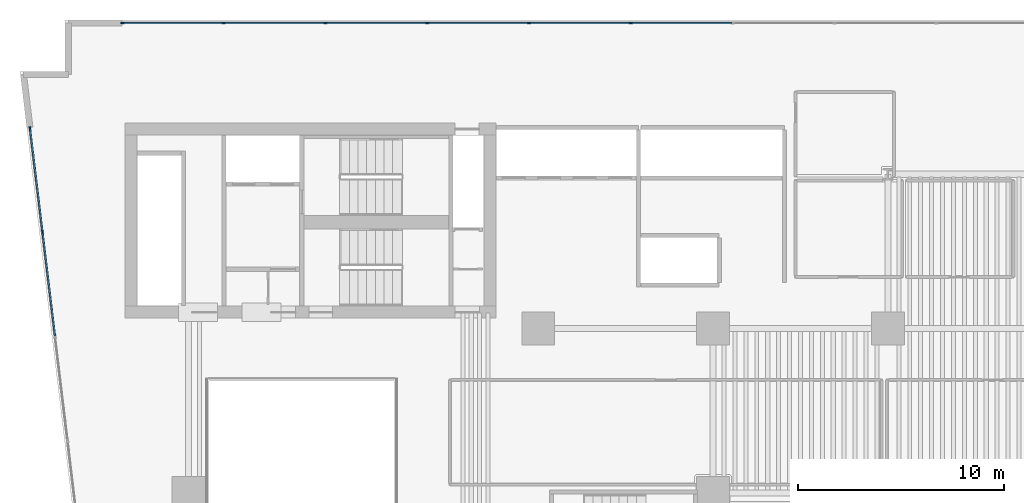
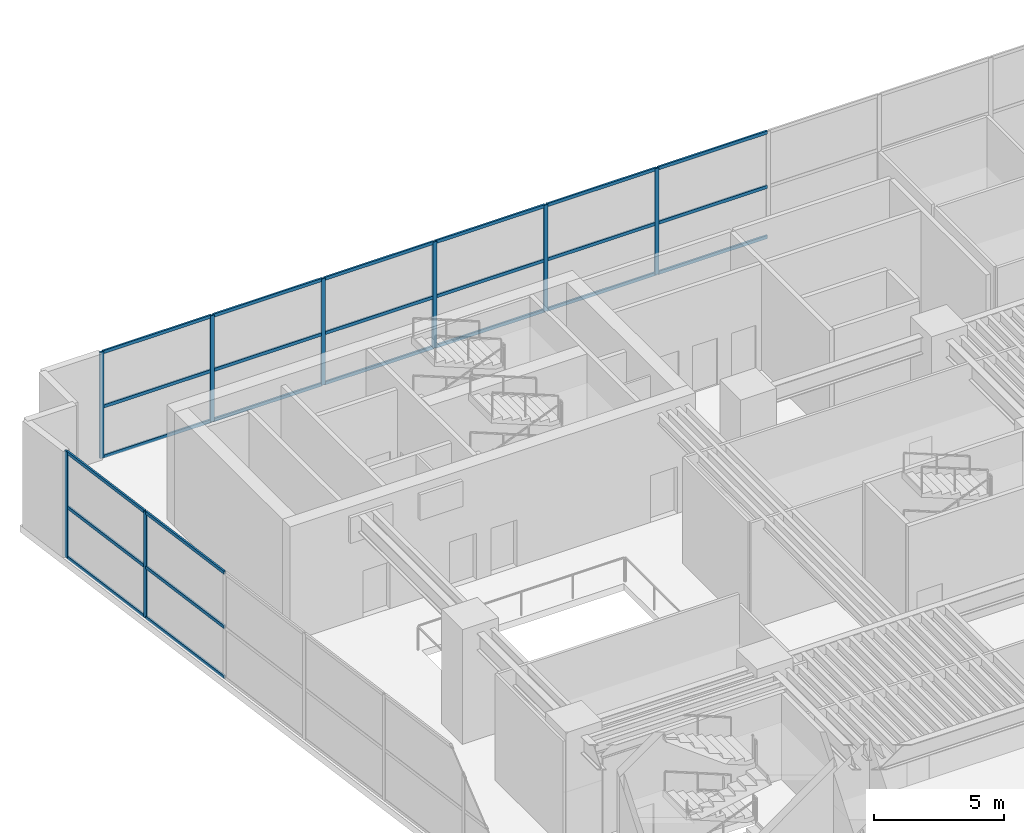
# One storey, part 5 of 16: 32 members, 2 elements without a shape of their own.
"""IFC4 building model written with IfcOpenShell, lengths in metres."""

from ifc_helpers import new_model, si_unit, direction, frame, origin, origin_2d, place, context, subcontext, project, spatial, rectangle, extrude, material, layer, layer_set, material_profile, profile_set, type_object, element, aggregate, save


model = new_model("IFC4")

# Units and contexts
model_context = context("Model", 3, precision=1e-05, world=origin(), true_north=direction((0.0, 1.0)))
body_context = subcontext(model_context, "Body", "Model", "MODEL_VIEW")
ifc_project = project(units=[si_unit("LENGTHUNIT", "METRE"), si_unit("AREAUNIT", "SQUARE_METRE"), si_unit("VOLUMEUNIT", "CUBIC_METRE"), si_unit("PLANEANGLEUNIT", "RADIAN"), si_unit("MASSUNIT", "GRAM", prefix="KILO")], contexts=[model_context])

# Site, building, storey
site_placement = place(None, origin())
site = spatial("IfcSite", under=ifc_project, at=site_placement, CompositionType="ELEMENT")
building_placement = place(site_placement, origin())
building = spatial("IfcBuilding", under=site, at=building_placement, Name="Caeloran Harvest Quay", CompositionType="ELEMENT")
storey_placement = place(building_placement, frame((0.0, 0.0, 16.199951171875)))
storey = spatial("IfcBuildingStorey", under=building, at=storey_placement, Name="L04", CompositionType="ELEMENT", Elevation=16.199951171875)

# Curtain wall, members
ifc_material_1 = material(Name="Aluminium 6063-T6 and Low-E Glazing", Category="aluminium")
ifc_layer = layer(ifc_material_1, 0.179931640625, Name="Aluminium 6063-T6 and Low-E Glazing")
ifc_layer_set = layer_set([ifc_layer], Name="Aluminium 6063-T6 and Low-E Glazing")
curtain_wall_type = type_object("IfcCurtainWallType", Name="CW-SYS-CW-1", PredefinedType="USERDEFINED", material=ifc_layer_set)
curtain_wall_1_placement = place(storey_placement, origin())
curtain_wall_1 = element("IfcCurtainWall", 1, at=curtain_wall_1_placement, inside=storey, type_object=curtain_wall_type, Name="L04 Unitised Curtain Wall CW-1 Run 3", ObjectType="CURTAIN_WALL", PredefinedType="USERDEFINED")
ifc_material_2 = material(Name="Aluminium 6063-T6", Category="aluminium")
ifc_material_profile_1 = material_profile(ifc_material_2, rectangle(XDim=0.080078125, YDim=0.179931640625, at=origin_2d()), Name="CW-MULLION-180")
ifc_profile_set_1 = profile_set([ifc_material_profile_1], Name="Aluminium 6063-T6")
member_type_1 = type_object("IfcMemberType", Name="CW-MULLION-180", PredefinedType="MULLION", material=ifc_profile_set_1)
member_1_placement = place(storey_placement, frame((1.3935546875, 35.69189453125, 0.0), z_axis=(0.0, 0.0, 1.0), x_axis=(-0.992815527762, -0.11965503681, 0.0)))
member_1 = element("IfcMember", 2, at=member_1_placement, type_object=member_type_1, Name="CW-1 mullion 7", PredefinedType="MULLION", context=body_context, shape_type="SweptSolid", body=[
    extrude(rectangle(XDim=0.080078125, YDim=0.179931640625, at=origin_2d()), origin(), (0.0, 0.0, 1.0), 5.0),
])
member_2_placement = place(storey_placement, frame((0.786376953125, 40.72900390625, 0.0), z_axis=(0.0, 0.0, 1.0), x_axis=(-0.992815527762, -0.11965503681, 0.0)))
member_2 = element("IfcMember", 3, at=member_2_placement, type_object=member_type_1, Name="CW-1 mullion 8", PredefinedType="MULLION", context=body_context, shape_type="SweptSolid", body=[
    extrude(rectangle(XDim=0.080078125, YDim=0.179931640625, at=origin_2d()), origin(), (0.0, 0.0, 1.0), 5.0),
])

curtain_wall_2_placement = place(storey_placement, origin())
curtain_wall_2 = element("IfcCurtainWall", 4, at=curtain_wall_2_placement, inside=storey, type_object=curtain_wall_type, Name="L04 Unitised Curtain Wall CW-1 Run 6", ObjectType="CURTAIN_WALL", PredefinedType="USERDEFINED")
member_3_placement = place(storey_placement, frame((5.2900390625, 45.85009765625, 0.0), z_axis=(0.0, 0.0, 1.0), x_axis=(0.0, 1.0, 0.0)))
member_3 = element("IfcMember", 5, at=member_3_placement, type_object=member_type_1, Name="CW-1 mullion 1", PredefinedType="MULLION", context=body_context, shape_type="SweptSolid", body=[
    extrude(rectangle(XDim=0.080078125, YDim=0.179931640625, at=origin_2d()), origin(), (0.0, 0.0, 1.0), 5.0),
])
member_4_placement = place(storey_placement, frame((10.199951171875, 45.85009765625, 0.0), z_axis=(0.0, 0.0, 1.0), x_axis=(0.0, 1.0, 0.0)))
member_4 = element("IfcMember", 6, at=member_4_placement, type_object=member_type_1, Name="CW-1 mullion 2", PredefinedType="MULLION", context=body_context, shape_type="SweptSolid", body=[
    extrude(rectangle(XDim=0.080078125, YDim=0.179931640625, at=origin_2d()), origin(), (0.0, 0.0, 1.0), 5.0),
])
member_5_placement = place(storey_placement, frame((15.14990234375, 45.85009765625, 0.0), z_axis=(0.0, 0.0, 1.0), x_axis=(0.0, 1.0, 0.0)))
member_5 = element("IfcMember", 7, at=member_5_placement, type_object=member_type_1, Name="CW-1 mullion 3", PredefinedType="MULLION", context=body_context, shape_type="SweptSolid", body=[
    extrude(rectangle(XDim=0.080078125, YDim=0.179931640625, at=origin_2d()), origin(), (0.0, 0.0, 1.0), 5.0),
])
member_6_placement = place(storey_placement, frame((20.10009765625, 45.85009765625, 0.0), z_axis=(0.0, 0.0, 1.0), x_axis=(0.0, 1.0, 0.0)))
member_6 = element("IfcMember", 8, at=member_6_placement, type_object=member_type_1, Name="CW-1 mullion 4", PredefinedType="MULLION", context=body_context, shape_type="SweptSolid", body=[
    extrude(rectangle(XDim=0.080078125, YDim=0.179931640625, at=origin_2d()), origin(), (0.0, 0.0, 1.0), 5.0),
])
member_7_placement = place(storey_placement, frame((25.050048828125, 45.85009765625, 0.0), z_axis=(0.0, 0.0, 1.0), x_axis=(0.0, 1.0, 0.0)))
member_7 = element("IfcMember", 9, at=member_7_placement, type_object=member_type_1, Name="CW-1 mullion 5", PredefinedType="MULLION", context=body_context, shape_type="SweptSolid", body=[
    extrude(rectangle(XDim=0.080078125, YDim=0.179931640625, at=origin_2d()), origin(), (0.0, 0.0, 1.0), 5.0),
])
member_8_placement = place(storey_placement, frame((30.0, 45.85009765625, 0.0), z_axis=(0.0, 0.0, 1.0), x_axis=(0.0, 1.0, 0.0)))
member_8 = element("IfcMember", 10, at=member_8_placement, type_object=member_type_1, Name="CW-1 mullion 6", PredefinedType="MULLION", context=body_context, shape_type="SweptSolid", body=[
    extrude(rectangle(XDim=0.080078125, YDim=0.179931640625, at=origin_2d()), origin(), (0.0, 0.0, 1.0), 5.0),
])

# Member
ifc_material_profile_2 = material_profile(ifc_material_2, rectangle(XDim=0.080078125, YDim=0.14990234375, at=origin_2d()), Name="CW-TRANSOM-150")
ifc_profile_set_2 = profile_set([ifc_material_profile_2], Name="Aluminium 6063-T6")
member_type_2 = type_object("IfcMemberType", Name="CW-TRANSOM-150", PredefinedType="USERDEFINED", material=ifc_profile_set_2)
member_9_placement = place(storey_placement, frame((2.00048828125, 30.65478515625, 0.0400390625), z_axis=(-0.119657779641, 0.99281519719, 0.0), x_axis=(-0.99281519719, -0.119657779641, 0.0)))
member_9 = element("IfcMember", 11, at=member_9_placement, type_object=member_type_2, Name="CW-1 transom 6.1", ObjectType="TRANSOM", PredefinedType="USERDEFINED", context=body_context, shape_type="SweptSolid", body=[
    extrude(rectangle(XDim=0.080078125, YDim=0.14990234375, at=origin_2d()), origin(), (0.0, 0.0, 1.0), 5.033447265625),
])

member_10_placement = place(storey_placement, frame((2.00048828125, 30.65478515625, 2.400146484375), z_axis=(-0.119657779641, 0.99281519719, 0.0), x_axis=(-0.99281519719, -0.119657779641, 0.0)))
member_10 = element("IfcMember", 12, at=member_10_placement, type_object=member_type_2, Name="CW-1 transom 6.2", ObjectType="TRANSOM", PredefinedType="USERDEFINED", context=body_context, shape_type="SweptSolid", body=[
    extrude(rectangle(XDim=0.080078125, YDim=0.14990234375, at=origin_2d()), origin(), (0.0, 0.0, 1.0), 5.033447265625),
])

member_11_placement = place(storey_placement, frame((2.00048828125, 30.65478515625, 4.9599609375), z_axis=(-0.119657779641, 0.99281519719, 0.0), x_axis=(-0.99281519719, -0.119657779641, 0.0)))
member_11 = element("IfcMember", 13, at=member_11_placement, type_object=member_type_2, Name="CW-1 transom 6.3", ObjectType="TRANSOM", PredefinedType="USERDEFINED", context=body_context, shape_type="SweptSolid", body=[
    extrude(rectangle(XDim=0.080078125, YDim=0.14990234375, at=origin_2d()), origin(), (0.0, 0.0, 1.0), 5.033447265625),
])

member_12_placement = place(storey_placement, frame((1.388671875, 35.731689453125, 0.0400390625), z_axis=(-0.119640688841, 0.992817256888, 0.0), x_axis=(-0.992817256888, -0.119640688841, 0.0)))
member_12 = element("IfcMember", 14, at=member_12_placement, type_object=member_type_2, Name="CW-1 transom 7.1", ObjectType="TRANSOM", PredefinedType="USERDEFINED", context=body_context, shape_type="SweptSolid", body=[
    extrude(rectangle(XDim=0.080078125, YDim=0.14990234375, at=origin_2d()), origin(), (0.0, 0.0, 1.0), 4.993408203125),
])

member_13_placement = place(storey_placement, frame((1.388671875, 35.731689453125, 2.400146484375), z_axis=(-0.119640688841, 0.992817256888, 0.0), x_axis=(-0.992817256888, -0.119640688841, 0.0)))
member_13 = element("IfcMember", 15, at=member_13_placement, type_object=member_type_2, Name="CW-1 transom 7.2", ObjectType="TRANSOM", PredefinedType="USERDEFINED", context=body_context, shape_type="SweptSolid", body=[
    extrude(rectangle(XDim=0.080078125, YDim=0.14990234375, at=origin_2d()), origin(), (0.0, 0.0, 1.0), 4.993408203125),
])

member_14_placement = place(storey_placement, frame((1.388671875, 35.731689453125, 4.9599609375), z_axis=(-0.119640688841, 0.992817256888, 0.0), x_axis=(-0.992817256888, -0.119640688841, 0.0)))
member_14 = element("IfcMember", 16, at=member_14_placement, type_object=member_type_2, Name="CW-1 transom 7.3", ObjectType="TRANSOM", PredefinedType="USERDEFINED", context=body_context, shape_type="SweptSolid", body=[
    extrude(rectangle(XDim=0.080078125, YDim=0.14990234375, at=origin_2d()), origin(), (0.0, 0.0, 1.0), 4.993408203125),
])

aggregate(curtain_wall_1, [member_1, member_2, member_9, member_10, member_11, member_12, member_13, member_14])

member_15_placement = place(storey_placement, frame((5.330078125, 45.85009765625, 0.0400390625), z_axis=(1.0, 0.0, 0.0), x_axis=(0.0, 1.0, 0.0)))
member_15 = element("IfcMember", 17, at=member_15_placement, type_object=member_type_2, Name="CW-1 transom 1.1", ObjectType="TRANSOM", PredefinedType="USERDEFINED", context=body_context, shape_type="SweptSolid", body=[
    extrude(rectangle(XDim=0.080078125, YDim=0.14990234375, at=origin_2d()), origin(), (0.0, 0.0, 1.0), 4.829833984375),
])

member_16_placement = place(storey_placement, frame((5.330078125, 45.85009765625, 2.400146484375), z_axis=(1.0, 0.0, 0.0), x_axis=(0.0, 1.0, 0.0)))
member_16 = element("IfcMember", 18, at=member_16_placement, type_object=member_type_2, Name="CW-1 transom 1.2", ObjectType="TRANSOM", PredefinedType="USERDEFINED", context=body_context, shape_type="SweptSolid", body=[
    extrude(rectangle(XDim=0.080078125, YDim=0.14990234375, at=origin_2d()), origin(), (0.0, 0.0, 1.0), 4.829833984375),
])

member_17_placement = place(storey_placement, frame((5.330078125, 45.85009765625, 4.9599609375), z_axis=(1.0, 0.0, 0.0), x_axis=(0.0, 1.0, 0.0)))
member_17 = element("IfcMember", 19, at=member_17_placement, type_object=member_type_2, Name="CW-1 transom 1.3", ObjectType="TRANSOM", PredefinedType="USERDEFINED", context=body_context, shape_type="SweptSolid", body=[
    extrude(rectangle(XDim=0.080078125, YDim=0.14990234375, at=origin_2d()), origin(), (0.0, 0.0, 1.0), 4.829833984375),
])

member_18_placement = place(storey_placement, frame((10.239990234375, 45.85009765625, 0.0400390625), z_axis=(1.0, 0.0, 0.0), x_axis=(0.0, 1.0, 0.0)))
member_18 = element("IfcMember", 20, at=member_18_placement, type_object=member_type_2, Name="CW-1 transom 2.1", ObjectType="TRANSOM", PredefinedType="USERDEFINED", context=body_context, shape_type="SweptSolid", body=[
    extrude(rectangle(XDim=0.080078125, YDim=0.14990234375, at=origin_2d()), origin(), (0.0, 0.0, 1.0), 4.8701171875),
])

member_19_placement = place(storey_placement, frame((10.239990234375, 45.85009765625, 2.400146484375), z_axis=(1.0, 0.0, 0.0), x_axis=(0.0, 1.0, 0.0)))
member_19 = element("IfcMember", 21, at=member_19_placement, type_object=member_type_2, Name="CW-1 transom 2.2", ObjectType="TRANSOM", PredefinedType="USERDEFINED", context=body_context, shape_type="SweptSolid", body=[
    extrude(rectangle(XDim=0.080078125, YDim=0.14990234375, at=origin_2d()), origin(), (0.0, 0.0, 1.0), 4.8701171875),
])

member_20_placement = place(storey_placement, frame((10.239990234375, 45.85009765625, 4.9599609375), z_axis=(1.0, 0.0, 0.0), x_axis=(0.0, 1.0, 0.0)))
member_20 = element("IfcMember", 22, at=member_20_placement, type_object=member_type_2, Name="CW-1 transom 2.3", ObjectType="TRANSOM", PredefinedType="USERDEFINED", context=body_context, shape_type="SweptSolid", body=[
    extrude(rectangle(XDim=0.080078125, YDim=0.14990234375, at=origin_2d()), origin(), (0.0, 0.0, 1.0), 4.8701171875),
])

member_21_placement = place(storey_placement, frame((15.18994140625, 45.85009765625, 0.0400390625), z_axis=(1.0, 0.0, 0.0), x_axis=(0.0, 1.0, 0.0)))
member_21 = element("IfcMember", 23, at=member_21_placement, type_object=member_type_2, Name="CW-1 transom 3.1", ObjectType="TRANSOM", PredefinedType="USERDEFINED", context=body_context, shape_type="SweptSolid", body=[
    extrude(rectangle(XDim=0.080078125, YDim=0.14990234375, at=origin_2d()), origin(), (0.0, 0.0, 1.0), 4.8701171875),
])

member_22_placement = place(storey_placement, frame((15.18994140625, 45.85009765625, 2.400146484375), z_axis=(1.0, 0.0, 0.0), x_axis=(0.0, 1.0, 0.0)))
member_22 = element("IfcMember", 24, at=member_22_placement, type_object=member_type_2, Name="CW-1 transom 3.2", ObjectType="TRANSOM", PredefinedType="USERDEFINED", context=body_context, shape_type="SweptSolid", body=[
    extrude(rectangle(XDim=0.080078125, YDim=0.14990234375, at=origin_2d()), origin(), (0.0, 0.0, 1.0), 4.8701171875),
])

member_23_placement = place(storey_placement, frame((15.18994140625, 45.85009765625, 4.9599609375), z_axis=(1.0, 0.0, 0.0), x_axis=(0.0, 1.0, 0.0)))
member_23 = element("IfcMember", 25, at=member_23_placement, type_object=member_type_2, Name="CW-1 transom 3.3", ObjectType="TRANSOM", PredefinedType="USERDEFINED", context=body_context, shape_type="SweptSolid", body=[
    extrude(rectangle(XDim=0.080078125, YDim=0.14990234375, at=origin_2d()), origin(), (0.0, 0.0, 1.0), 4.8701171875),
])

member_24_placement = place(storey_placement, frame((20.139892578125, 45.85009765625, 0.0400390625), z_axis=(1.0, 0.0, 0.0), x_axis=(0.0, 1.0, 0.0)))
member_24 = element("IfcMember", 26, at=member_24_placement, type_object=member_type_2, Name="CW-1 transom 4.1", ObjectType="TRANSOM", PredefinedType="USERDEFINED", context=body_context, shape_type="SweptSolid", body=[
    extrude(rectangle(XDim=0.080078125, YDim=0.14990234375, at=origin_2d()), origin(), (0.0, 0.0, 1.0), 4.8701171875),
])

member_25_placement = place(storey_placement, frame((20.139892578125, 45.85009765625, 2.400146484375), z_axis=(1.0, 0.0, 0.0), x_axis=(0.0, 1.0, 0.0)))
member_25 = element("IfcMember", 27, at=member_25_placement, type_object=member_type_2, Name="CW-1 transom 4.2", ObjectType="TRANSOM", PredefinedType="USERDEFINED", context=body_context, shape_type="SweptSolid", body=[
    extrude(rectangle(XDim=0.080078125, YDim=0.14990234375, at=origin_2d()), origin(), (0.0, 0.0, 1.0), 4.8701171875),
])

member_26_placement = place(storey_placement, frame((20.139892578125, 45.85009765625, 4.9599609375), z_axis=(1.0, 0.0, 0.0), x_axis=(0.0, 1.0, 0.0)))
member_26 = element("IfcMember", 28, at=member_26_placement, type_object=member_type_2, Name="CW-1 transom 4.3", ObjectType="TRANSOM", PredefinedType="USERDEFINED", context=body_context, shape_type="SweptSolid", body=[
    extrude(rectangle(XDim=0.080078125, YDim=0.14990234375, at=origin_2d()), origin(), (0.0, 0.0, 1.0), 4.8701171875),
])

member_27_placement = place(storey_placement, frame((25.090087890625, 45.85009765625, 0.0400390625), z_axis=(1.0, 0.0, 0.0), x_axis=(0.0, 1.0, 0.0)))
member_27 = element("IfcMember", 29, at=member_27_placement, type_object=member_type_2, Name="CW-1 transom 5.1", ObjectType="TRANSOM", PredefinedType="USERDEFINED", context=body_context, shape_type="SweptSolid", body=[
    extrude(rectangle(XDim=0.080078125, YDim=0.14990234375, at=origin_2d()), origin(), (0.0, 0.0, 1.0), 4.869873046875),
])

member_28_placement = place(storey_placement, frame((25.090087890625, 45.85009765625, 2.400146484375), z_axis=(1.0, 0.0, 0.0), x_axis=(0.0, 1.0, 0.0)))
member_28 = element("IfcMember", 30, at=member_28_placement, type_object=member_type_2, Name="CW-1 transom 5.2", ObjectType="TRANSOM", PredefinedType="USERDEFINED", context=body_context, shape_type="SweptSolid", body=[
    extrude(rectangle(XDim=0.080078125, YDim=0.14990234375, at=origin_2d()), origin(), (0.0, 0.0, 1.0), 4.869873046875),
])

member_29_placement = place(storey_placement, frame((25.090087890625, 45.85009765625, 4.9599609375), z_axis=(1.0, 0.0, 0.0), x_axis=(0.0, 1.0, 0.0)))
member_29 = element("IfcMember", 31, at=member_29_placement, type_object=member_type_2, Name="CW-1 transom 5.3", ObjectType="TRANSOM", PredefinedType="USERDEFINED", context=body_context, shape_type="SweptSolid", body=[
    extrude(rectangle(XDim=0.080078125, YDim=0.14990234375, at=origin_2d()), origin(), (0.0, 0.0, 1.0), 4.869873046875),
])

member_30_placement = place(storey_placement, frame((30.0400390625, 45.85009765625, 0.0400390625), z_axis=(1.0, 0.0, 0.0), x_axis=(0.0, 1.0, 0.0)))
member_30 = element("IfcMember", 32, at=member_30_placement, type_object=member_type_2, Name="CW-1 transom 6.1", ObjectType="TRANSOM", PredefinedType="USERDEFINED", context=body_context, shape_type="SweptSolid", body=[
    extrude(rectangle(XDim=0.080078125, YDim=0.14990234375, at=origin_2d()), origin(), (0.0, 0.0, 1.0), 4.869873046875),
])

member_31_placement = place(storey_placement, frame((30.0400390625, 45.85009765625, 2.400146484375), z_axis=(1.0, 0.0, 0.0), x_axis=(0.0, 1.0, 0.0)))
member_31 = element("IfcMember", 33, at=member_31_placement, type_object=member_type_2, Name="CW-1 transom 6.2", ObjectType="TRANSOM", PredefinedType="USERDEFINED", context=body_context, shape_type="SweptSolid", body=[
    extrude(rectangle(XDim=0.080078125, YDim=0.14990234375, at=origin_2d()), origin(), (0.0, 0.0, 1.0), 4.869873046875),
])

member_32_placement = place(storey_placement, frame((30.0400390625, 45.85009765625, 4.9599609375), z_axis=(1.0, 0.0, 0.0), x_axis=(0.0, 1.0, 0.0)))
member_32 = element("IfcMember", 34, at=member_32_placement, type_object=member_type_2, Name="CW-1 transom 6.3", ObjectType="TRANSOM", PredefinedType="USERDEFINED", context=body_context, shape_type="SweptSolid", body=[
    extrude(rectangle(XDim=0.080078125, YDim=0.14990234375, at=origin_2d()), origin(), (0.0, 0.0, 1.0), 4.869873046875),
])

aggregate(curtain_wall_2, [member_3, member_4, member_5, member_6, member_7, member_8, member_15, member_16, member_17, member_18, member_19, member_20, member_21, member_22, member_23, member_24, member_25, member_26, member_27, member_28, member_29, member_30, member_31, member_32])

save(model, "model.ifc")
